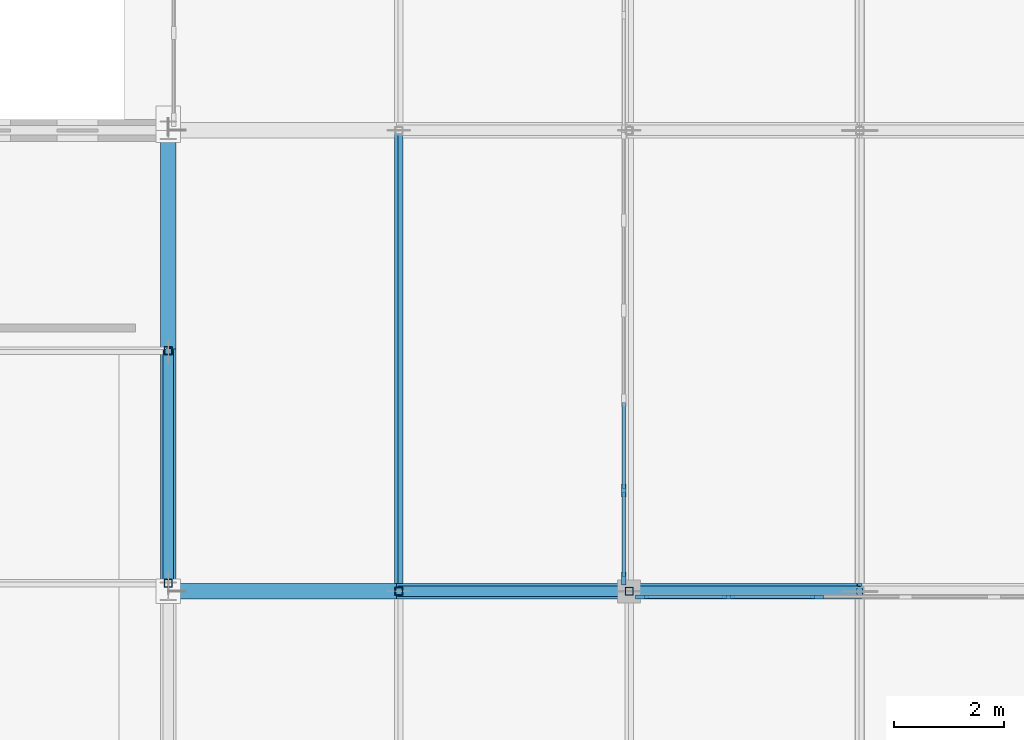
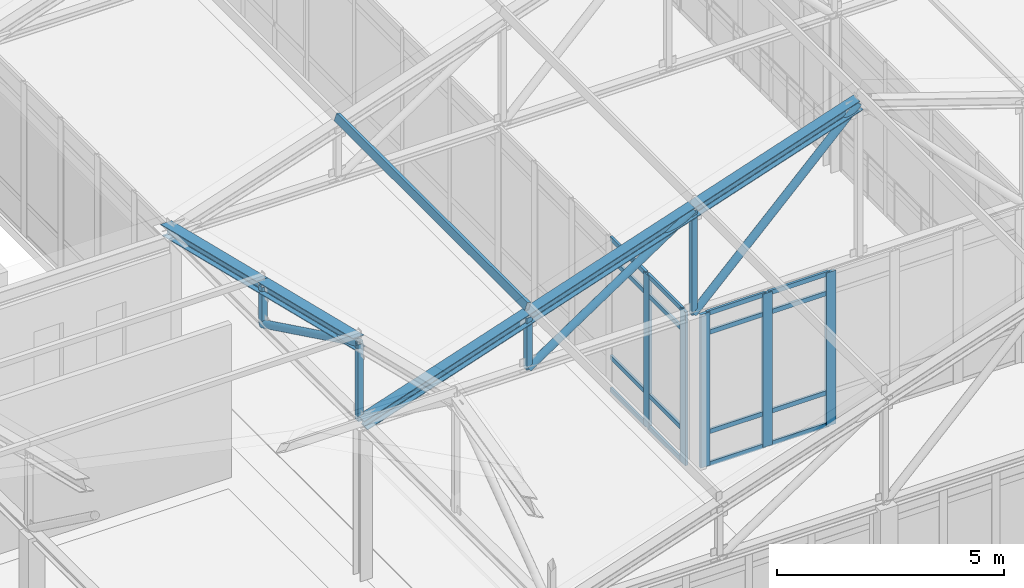
# One storey, part 38 of 192: 34 members, 2 elements without a shape of their own.
"""IFC4 building model written with IfcOpenShell, lengths in metres."""

from ifc_helpers import new_model, si_unit, direction, frame, origin, origin_2d, place, context, subcontext, project, spatial, rectangle, hollow_rectangle, hollow_circle, i_section, extrude, material, layer, layer_set, material_profile, profile_set, type_object, element, aggregate, save


model = new_model("IFC4")

# Units and contexts
model_context = context("Model", 3, precision=1e-05, world=origin(), true_north=direction((0.0, 1.0)))
body_context = subcontext(model_context, "Body", "Model", "MODEL_VIEW")
ifc_project = project(units=[si_unit("LENGTHUNIT", "METRE"), si_unit("AREAUNIT", "SQUARE_METRE"), si_unit("VOLUMEUNIT", "CUBIC_METRE"), si_unit("PLANEANGLEUNIT", "RADIAN"), si_unit("MASSUNIT", "GRAM", prefix="KILO")], contexts=[model_context])

# Site, building, storey
site_placement = place(None, origin())
site = spatial("IfcSite", under=ifc_project, at=site_placement, CompositionType="ELEMENT")
building_placement = place(site_placement, origin())
building = spatial("IfcBuilding", under=site, at=building_placement, Name="Kveldsbrygga Polytechnic", CompositionType="ELEMENT")
storey_placement = place(building_placement, frame((0.0, 0.0, 5.43994140625)))
storey = spatial("IfcBuildingStorey", under=building, at=storey_placement, Name="L01", CompositionType="ELEMENT", Elevation=5.43994140625)

# Curtain wall, members
ifc_material_1 = material(Name="Anodised aluminium AW-6060", Category="aluminium")
ifc_layer = layer(ifc_material_1, 0.179931640625)
ifc_layer_set = layer_set([ifc_layer], Name="Anodised aluminium AW-6060")
curtain_wall_type = type_object("IfcCurtainWallType", Name="CW-LANC-D", PredefinedType="USERDEFINED", material=ifc_layer_set)
curtain_wall_1_placement = place(storey_placement, origin())
curtain_wall_1 = element("IfcCurtainWall", 1, at=curtain_wall_1_placement, inside=storey, type_object=curtain_wall_type, Name="Curtain Wall CW-L01-Y-07-02", ObjectType="UNITISED CURTAIN WALL", PredefinedType="USERDEFINED")
ifc_material_profile_1 = material_profile(ifc_material_1, rectangle(XDim=0.074951171875, YDim=0.239990234375, at=origin_2d()), Name="ALU 75x240")
ifc_profile_set_1 = profile_set([ifc_material_profile_1], Name="Anodised aluminium AW-6060")
member_type_1 = type_object("IfcMemberType", Name="CW-MUL-240", PredefinedType="MULLION", material=ifc_profile_set_1)
member_1_placement = place(storey_placement, frame((58.699951171875, 17.032470703125, 0.0), z_axis=(0.0, 0.0, 1.0), x_axis=(-1.0, 0.0, 0.0)))
member_1 = element("IfcMember", 2, at=member_1_placement, type_object=member_type_1, Name="CW-04 mullion 1", PredefinedType="MULLION", context=body_context, shape_type="SweptSolid", body=[
    extrude(rectangle(XDim=0.074951171875, YDim=0.239990234375, at=origin_2d()), origin(), (0.0, 0.0, 1.0), 4.1201171875),
])
member_2_placement = place(storey_placement, frame((58.699951171875, 18.635986328125, 0.0), z_axis=(0.0, 0.0, 1.0), x_axis=(-1.0, 0.0, 0.0)))
member_2 = element("IfcMember", 3, at=member_2_placement, type_object=member_type_1, Name="CW-04 mullion 2", PredefinedType="MULLION", context=body_context, shape_type="SweptSolid", body=[
    extrude(rectangle(XDim=0.074951171875, YDim=0.239990234375, at=origin_2d()), origin(), (0.0, 0.0, 1.0), 4.1201171875),
])

curtain_wall_2_placement = place(storey_placement, origin())
curtain_wall_2 = element("IfcCurtainWall", 4, at=curtain_wall_2_placement, inside=storey, type_object=curtain_wall_type, Name="Curtain Wall CW-L01-X-07-02", ObjectType="UNITISED CURTAIN WALL", PredefinedType="USERDEFINED")
member_3_placement = place(storey_placement, frame((59.032470703125, 16.699951171875, 0.0), z_axis=(0.0, 0.0, 1.0), x_axis=(0.0, 1.0, 0.0)))
member_3 = element("IfcMember", 5, at=member_3_placement, type_object=member_type_1, Name="CW-04 mullion 1", PredefinedType="MULLION", context=body_context, shape_type="SweptSolid", body=[
    extrude(rectangle(XDim=0.074951171875, YDim=0.239990234375, at=origin_2d()), origin(), (0.0, 0.0, 1.0), 4.1201171875),
])
member_4_placement = place(storey_placement, frame((60.60888671875, 16.699951171875, 0.0), z_axis=(0.0, 0.0, 1.0), x_axis=(0.0, 1.0, 0.0)))
member_4 = element("IfcMember", 6, at=member_4_placement, type_object=member_type_1, Name="CW-04 mullion 2", PredefinedType="MULLION", context=body_context, shape_type="SweptSolid", body=[
    extrude(rectangle(XDim=0.074951171875, YDim=0.239990234375, at=origin_2d()), origin(), (0.0, 0.0, 1.0), 4.1201171875),
])
member_5_placement = place(storey_placement, frame((62.222900390625, 16.699951171875, 0.0), z_axis=(0.0, 0.0, 1.0), x_axis=(0.0, 1.0, 0.0)))
member_5 = element("IfcMember", 7, at=member_5_placement, type_object=member_type_1, Name="CW-04 mullion 3", PredefinedType="MULLION", context=body_context, shape_type="SweptSolid", body=[
    extrude(rectangle(XDim=0.074951171875, YDim=0.239990234375, at=origin_2d()), origin(), (0.0, 0.0, 1.0), 4.1201171875),
])

# Member
ifc_material_profile_2 = material_profile(ifc_material_1, rectangle(XDim=0.06005859375, YDim=0.1201171875, at=origin_2d()), Name="ALU 60x120")
ifc_profile_set_2 = profile_set([ifc_material_profile_2], Name="Anodised aluminium AW-6060")
member_type_2 = type_object("IfcMemberType", Name="CW-TRN-120", PredefinedType="USERDEFINED", material=ifc_profile_set_2)
member_6_placement = place(storey_placement, frame((58.699951171875, 17.070068359375, 0.030029296875), z_axis=(0.0, 1.0, 0.0), x_axis=(-1.0, 0.0, 0.0)))
member_6 = element("IfcMember", 8, at=member_6_placement, type_object=member_type_2, Name="CW-04 transom 1.1", ObjectType="TRANSOM", PredefinedType="USERDEFINED", context=body_context, shape_type="SweptSolid", body=[
    extrude(rectangle(XDim=0.06005859375, YDim=0.1201171875, at=origin_2d()), origin(), (0.0, 0.0, 1.0), 1.5283203125),
])

member_7_placement = place(storey_placement, frame((58.699951171875, 17.070068359375, 0.900146484375), z_axis=(0.0, 1.0, 0.0), x_axis=(-1.0, 0.0, 0.0)))
member_7 = element("IfcMember", 9, at=member_7_placement, type_object=member_type_2, Name="CW-04 transom 1.2", ObjectType="TRANSOM", PredefinedType="USERDEFINED", context=body_context, shape_type="SweptSolid", body=[
    extrude(rectangle(XDim=0.06005859375, YDim=0.1201171875, at=origin_2d()), origin(), (0.0, 0.0, 1.0), 1.5283203125),
])

member_8_placement = place(storey_placement, frame((58.699951171875, 17.070068359375, 3.570068359375), z_axis=(0.0, 1.0, 0.0), x_axis=(-1.0, 0.0, 0.0)))
member_8 = element("IfcMember", 10, at=member_8_placement, type_object=member_type_2, Name="CW-04 transom 1.3", ObjectType="TRANSOM", PredefinedType="USERDEFINED", context=body_context, shape_type="SweptSolid", body=[
    extrude(rectangle(XDim=0.06005859375, YDim=0.1201171875, at=origin_2d()), origin(), (0.0, 0.0, 1.0), 1.5283203125),
])

member_9_placement = place(storey_placement, frame((58.699951171875, 17.070068359375, 4.090087890625), z_axis=(0.0, 1.0, 0.0), x_axis=(-1.0, 0.0, 0.0)))
member_9 = element("IfcMember", 11, at=member_9_placement, type_object=member_type_2, Name="CW-04 transom 1.4", ObjectType="TRANSOM", PredefinedType="USERDEFINED", context=body_context, shape_type="SweptSolid", body=[
    extrude(rectangle(XDim=0.06005859375, YDim=0.1201171875, at=origin_2d()), origin(), (0.0, 0.0, 1.0), 1.5283203125),
])

member_10_placement = place(storey_placement, frame((58.699951171875, 18.673583984375, 0.030029296875), z_axis=(0.0, 1.0, 0.0), x_axis=(-1.0, 0.0, 0.0)))
member_10 = element("IfcMember", 12, at=member_10_placement, type_object=member_type_2, Name="CW-04 transom 2.1", ObjectType="TRANSOM", PredefinedType="USERDEFINED", context=body_context, shape_type="SweptSolid", body=[
    extrude(rectangle(XDim=0.06005859375, YDim=0.1201171875, at=origin_2d()), origin(), (0.0, 0.0, 1.0), 1.56591796875),
])

member_11_placement = place(storey_placement, frame((58.699951171875, 18.673583984375, 0.900146484375), z_axis=(0.0, 1.0, 0.0), x_axis=(-1.0, 0.0, 0.0)))
member_11 = element("IfcMember", 13, at=member_11_placement, type_object=member_type_2, Name="CW-04 transom 2.2", ObjectType="TRANSOM", PredefinedType="USERDEFINED", context=body_context, shape_type="SweptSolid", body=[
    extrude(rectangle(XDim=0.06005859375, YDim=0.1201171875, at=origin_2d()), origin(), (0.0, 0.0, 1.0), 1.56591796875),
])

member_12_placement = place(storey_placement, frame((58.699951171875, 18.673583984375, 3.570068359375), z_axis=(0.0, 1.0, 0.0), x_axis=(-1.0, 0.0, 0.0)))
member_12 = element("IfcMember", 14, at=member_12_placement, type_object=member_type_2, Name="CW-04 transom 2.3", ObjectType="TRANSOM", PredefinedType="USERDEFINED", context=body_context, shape_type="SweptSolid", body=[
    extrude(rectangle(XDim=0.06005859375, YDim=0.1201171875, at=origin_2d()), origin(), (0.0, 0.0, 1.0), 1.56591796875),
])

member_13_placement = place(storey_placement, frame((58.699951171875, 18.673583984375, 4.090087890625), z_axis=(0.0, 1.0, 0.0), x_axis=(-1.0, 0.0, 0.0)))
member_13 = element("IfcMember", 15, at=member_13_placement, type_object=member_type_2, Name="CW-04 transom 2.4", ObjectType="TRANSOM", PredefinedType="USERDEFINED", context=body_context, shape_type="SweptSolid", body=[
    extrude(rectangle(XDim=0.06005859375, YDim=0.1201171875, at=origin_2d()), origin(), (0.0, 0.0, 1.0), 1.56591796875),
])

aggregate(curtain_wall_1, [member_1, member_2, member_6, member_7, member_8, member_9, member_10, member_11, member_12, member_13])

member_14_placement = place(storey_placement, frame((59.070068359375, 16.699951171875, 0.030029296875), z_axis=(1.0, 0.0, 0.0), x_axis=(0.0, 1.0, 0.0)))
member_14 = element("IfcMember", 16, at=member_14_placement, type_object=member_type_2, Name="CW-04 transom 1.1", ObjectType="TRANSOM", PredefinedType="USERDEFINED", context=body_context, shape_type="SweptSolid", body=[
    extrude(rectangle(XDim=0.06005859375, YDim=0.1201171875, at=origin_2d()), origin(), (0.0, 0.0, 1.0), 1.50146484375),
])

member_15_placement = place(storey_placement, frame((59.070068359375, 16.699951171875, 0.900146484375), z_axis=(1.0, 0.0, 0.0), x_axis=(0.0, 1.0, 0.0)))
member_15 = element("IfcMember", 17, at=member_15_placement, type_object=member_type_2, Name="CW-04 transom 1.2", ObjectType="TRANSOM", PredefinedType="USERDEFINED", context=body_context, shape_type="SweptSolid", body=[
    extrude(rectangle(XDim=0.06005859375, YDim=0.1201171875, at=origin_2d()), origin(), (0.0, 0.0, 1.0), 1.50146484375),
])

member_16_placement = place(storey_placement, frame((59.070068359375, 16.699951171875, 3.570068359375), z_axis=(1.0, 0.0, 0.0), x_axis=(0.0, 1.0, 0.0)))
member_16 = element("IfcMember", 18, at=member_16_placement, type_object=member_type_2, Name="CW-04 transom 1.3", ObjectType="TRANSOM", PredefinedType="USERDEFINED", context=body_context, shape_type="SweptSolid", body=[
    extrude(rectangle(XDim=0.06005859375, YDim=0.1201171875, at=origin_2d()), origin(), (0.0, 0.0, 1.0), 1.50146484375),
])

member_17_placement = place(storey_placement, frame((59.070068359375, 16.699951171875, 4.090087890625), z_axis=(1.0, 0.0, 0.0), x_axis=(0.0, 1.0, 0.0)))
member_17 = element("IfcMember", 19, at=member_17_placement, type_object=member_type_2, Name="CW-04 transom 1.4", ObjectType="TRANSOM", PredefinedType="USERDEFINED", context=body_context, shape_type="SweptSolid", body=[
    extrude(rectangle(XDim=0.06005859375, YDim=0.1201171875, at=origin_2d()), origin(), (0.0, 0.0, 1.0), 1.50146484375),
])

member_18_placement = place(storey_placement, frame((60.646484375, 16.699951171875, 0.030029296875), z_axis=(1.0, 0.0, 0.0), x_axis=(0.0, 1.0, 0.0)))
member_18 = element("IfcMember", 20, at=member_18_placement, type_object=member_type_2, Name="CW-04 transom 2.1", ObjectType="TRANSOM", PredefinedType="USERDEFINED", context=body_context, shape_type="SweptSolid", body=[
    extrude(rectangle(XDim=0.06005859375, YDim=0.1201171875, at=origin_2d()), origin(), (0.0, 0.0, 1.0), 1.5390625),
])

member_19_placement = place(storey_placement, frame((60.646484375, 16.699951171875, 0.900146484375), z_axis=(1.0, 0.0, 0.0), x_axis=(0.0, 1.0, 0.0)))
member_19 = element("IfcMember", 21, at=member_19_placement, type_object=member_type_2, Name="CW-04 transom 2.2", ObjectType="TRANSOM", PredefinedType="USERDEFINED", context=body_context, shape_type="SweptSolid", body=[
    extrude(rectangle(XDim=0.06005859375, YDim=0.1201171875, at=origin_2d()), origin(), (0.0, 0.0, 1.0), 1.5390625),
])

member_20_placement = place(storey_placement, frame((60.646484375, 16.699951171875, 3.570068359375), z_axis=(1.0, 0.0, 0.0), x_axis=(0.0, 1.0, 0.0)))
member_20 = element("IfcMember", 22, at=member_20_placement, type_object=member_type_2, Name="CW-04 transom 2.3", ObjectType="TRANSOM", PredefinedType="USERDEFINED", context=body_context, shape_type="SweptSolid", body=[
    extrude(rectangle(XDim=0.06005859375, YDim=0.1201171875, at=origin_2d()), origin(), (0.0, 0.0, 1.0), 1.5390625),
])

member_21_placement = place(storey_placement, frame((60.646484375, 16.699951171875, 4.090087890625), z_axis=(1.0, 0.0, 0.0), x_axis=(0.0, 1.0, 0.0)))
member_21 = element("IfcMember", 23, at=member_21_placement, type_object=member_type_2, Name="CW-04 transom 2.4", ObjectType="TRANSOM", PredefinedType="USERDEFINED", context=body_context, shape_type="SweptSolid", body=[
    extrude(rectangle(XDim=0.06005859375, YDim=0.1201171875, at=origin_2d()), origin(), (0.0, 0.0, 1.0), 1.5390625),
])

aggregate(curtain_wall_2, [member_3, member_4, member_5, member_14, member_15, member_16, member_17, member_18, member_19, member_20, member_21])

# Members
ifc_material_2 = material(Name="Steel S355", Category="steel")
ifc_material_profile_3 = material_profile(ifc_material_2, hollow_rectangle(XDim=0.10009765625, YDim=0.199951171875, WallThickness=0.010009765625, at=origin_2d()), Name="RHS 200x100x10.0")
ifc_profile_set_3 = profile_set([ifc_material_profile_3], Name="Steel S355")
member_type_3 = type_object("IfcMemberType", Name="PRL-RHS200", PredefinedType="PURLIN", material=ifc_profile_set_3)
member_22_placement = place(storey_placement, frame((54.60009765625, 16.800048828125, 5.77294921875), z_axis=(0.0, 1.0, 0.0), x_axis=(-0.948683567514, 0.0, 0.316226957624)))
element("IfcMember", 24, at=member_22_placement, inside=storey, type_object=member_type_3, Name="Roof Purlin V5C-PRL-2-1", PredefinedType="PURLIN", context=body_context, shape_type="SweptSolid", body=[
    extrude(hollow_rectangle(XDim=0.10009765625, YDim=0.199951171875, WallThickness=0.010009765625, at=origin_2d()), origin(), (0.0, 0.0, 1.0), 8.39990234375),
])
ifc_material_profile_4 = material_profile(ifc_material_2, hollow_circle(Radius=0.096923828125, WallThickness=0.010009765625, at=origin_2d()), Name="CHS 193.7x10.0")
ifc_profile_set_4 = profile_set([ifc_material_profile_4], Name="Steel S355")
member_type_4 = type_object("IfcMemberType", Name="TR-DIAG-CHS194", PredefinedType="BRACE", material=ifc_profile_set_4)
member_23_placement = place(storey_placement, frame((50.39990234375, 16.94677734375, 6.186767578125), z_axis=(0.0, 0.898765956772, -0.438428734171), x_axis=(-1.0, 0.0, 0.0)))
element("IfcMember", 25, at=member_23_placement, inside=storey, type_object=member_type_4, Name="Truss Diagonal V5S-T07-DG-5", PredefinedType="BRACE", context=body_context, shape_type="SweptSolid", body=[
    extrude(hollow_circle(Radius=0.096923828125, WallThickness=0.010009765625, at=origin_2d()), origin(), (0.0, 0.0, 1.0), 4.7138671875),
])
member_24_placement = place(storey_placement, frame((54.60009765625, 16.800048828125, 4.1201171875), z_axis=(0.832042853317, 0.0, 0.554711357594), x_axis=(0.0, 1.0, 0.0)))
element("IfcMember", 26, at=member_24_placement, inside=storey, type_object=member_type_4, Name="Truss Diagonal V5C-T02-DG-2", PredefinedType="BRACE", context=body_context, shape_type="SweptSolid", body=[
    extrude(hollow_circle(Radius=0.096923828125, WallThickness=0.010009765625, at=origin_2d()), origin(), (0.0, 0.0, 1.0), 5.0478515625),
])
member_25_placement = place(storey_placement, frame((58.800048828125, 16.800048828125, 4.1201171875), z_axis=(0.707106781187, 0.0, 0.707106781187), x_axis=(0.0, 1.0, 0.0)))
element("IfcMember", 27, at=member_25_placement, inside=storey, type_object=member_type_4, Name="Truss Diagonal V5C-T02-DG-3", PredefinedType="BRACE", context=body_context, shape_type="SweptSolid", body=[
    extrude(hollow_circle(Radius=0.096923828125, WallThickness=0.010009765625, at=origin_2d()), origin(), (0.0, 0.0, 1.0), 5.939697265625),
])
ifc_material_profile_5 = material_profile(ifc_material_2, hollow_rectangle(XDim=0.139892578125, YDim=0.139892578125, WallThickness=0.008056640625, at=origin_2d()), Name="SHS 140x140x8.0")
ifc_profile_set_5 = profile_set([ifc_material_profile_5], Name="Steel S355")
member_type_5 = type_object("IfcMemberType", Name="TR-POST-SHS140", PredefinedType="STRUT", material=ifc_profile_set_5)
member_26_placement = place(storey_placement, frame((50.39990234375, 16.94677734375, 4.1201171875), z_axis=(0.0, 0.0, 1.0), x_axis=(1.0, 0.0, 0.0)))
element("IfcMember", 28, at=member_26_placement, inside=storey, type_object=member_type_5, Name="Truss Vertical V5S-T07-VT-4", PredefinedType="STRUT", context=body_context, shape_type="SweptSolid", body=[
    extrude(hollow_rectangle(XDim=0.139892578125, YDim=0.139892578125, WallThickness=0.008056640625, at=origin_2d()), origin(), (0.0, 0.0, 1.0), 2.066650390625),
])
member_27_placement = place(storey_placement, frame((50.39990234375, 21.183349609375, 4.1201171875), z_axis=(0.0, 0.0, 1.0), x_axis=(1.0, 0.0, 0.0)))
element("IfcMember", 29, at=member_27_placement, inside=storey, type_object=member_type_5, Name="Truss Vertical V5S-T07-VT-5", PredefinedType="STRUT", context=body_context, shape_type="SweptSolid", body=[
    extrude(hollow_rectangle(XDim=0.139892578125, YDim=0.139892578125, WallThickness=0.008056640625, at=origin_2d()), origin(), (0.0, 0.0, 1.0), 1.033203125),
])
member_28_placement = place(storey_placement, frame((54.60009765625, 16.800048828125, 4.1201171875), z_axis=(0.0, 0.0, 1.0), x_axis=(1.0, 0.0, 0.0)))
element("IfcMember", 30, at=member_28_placement, inside=storey, type_object=member_type_5, Name="Truss Vertical V5C-T02-VT-1", PredefinedType="STRUT", context=body_context, shape_type="SweptSolid", body=[
    extrude(hollow_rectangle(XDim=0.139892578125, YDim=0.139892578125, WallThickness=0.008056640625, at=origin_2d()), origin(), (0.0, 0.0, 1.0), 1.39990234375),
])
member_29_placement = place(storey_placement, frame((58.800048828125, 16.800048828125, 4.1201171875), z_axis=(0.0, 0.0, 1.0), x_axis=(1.0, 0.0, 0.0)))
element("IfcMember", 31, at=member_29_placement, inside=storey, type_object=member_type_5, Name="Truss Vertical V5C-T02-VT-2", PredefinedType="STRUT", context=body_context, shape_type="SweptSolid", body=[
    extrude(hollow_rectangle(XDim=0.139892578125, YDim=0.139892578125, WallThickness=0.008056640625, at=origin_2d()), origin(), (0.0, 0.0, 1.0), 2.800048828125),
])
ifc_material_profile_6 = material_profile(ifc_material_2, i_section(OverallWidth=0.280029296875, OverallDepth=0.280029296875, WebThickness=0.010498046875, FlangeThickness=0.01806640625, FilletRadius=0.02392578125, at=origin_2d()), Name="HEB 280")
ifc_profile_set_6 = profile_set([ifc_material_profile_6], Name="Steel S355")
member_type_6 = type_object("IfcMemberType", Name="TR-TOP-HEB280", PredefinedType="CHORD", material=ifc_profile_set_6)
for number, where, z_axis, x_axis, name in (
    (32, (50.39990234375, 16.94677734375, 6.186767578125), (0.0, 0.971513108336, -0.236985823061), (-1.0, 0.0, 0.0), "Truss Top Chord V5S-T07-TC-5"),
    (33, (50.39990234375, 21.183349609375, 5.1533203125), (0.0, 0.971525996838, -0.236932980961), (-1.0, 0.0, 0.0), "Truss Top Chord V5S-T07-TC-6"),
):
    element("IfcMember", number, at=place(storey_placement, frame(where, z_axis=z_axis, x_axis=x_axis)), inside=storey, type_object=member_type_6, Name=name, PredefinedType="CHORD", context=body_context, shape_type="SweptSolid", body=[
        extrude(i_section(OverallWidth=0.280029296875, OverallDepth=0.280029296875, WebThickness=0.010498046875, FlangeThickness=0.01806640625, FilletRadius=0.02392578125, at=origin_2d()), origin(), (0.0, 0.0, 1.0), 4.36083984375),
    ])
for number, where, z_axis, x_axis, name in (
    (34, (50.39990234375, 16.800048828125, 4.1201171875), (0.948694326238, 0.0, 0.316194679531), (0.0, 1.0, 0.0), "Truss Top Chord V5C-T02-TC-1"),
    (35, (54.60009765625, 16.800048828125, 5.52001953125), (0.948672268324, 0.0, 0.316260853272), (0.0, 1.0, 0.0), "Truss Top Chord V5C-T02-TC-2"),
):
    element("IfcMember", number, at=place(storey_placement, frame(where, z_axis=z_axis, x_axis=x_axis)), inside=storey, type_object=member_type_6, Name=name, PredefinedType="CHORD", context=body_context, shape_type="SweptSolid", body=[
        extrude(i_section(OverallWidth=0.280029296875, OverallDepth=0.280029296875, WebThickness=0.010498046875, FlangeThickness=0.01806640625, FilletRadius=0.02392578125, at=origin_2d()), origin(), (0.0, 0.0, 1.0), 4.42724609375),
    ])
member_30_placement = place(storey_placement, frame((58.800048828125, 16.800048828125, 6.920166015625), z_axis=(0.948688812577, 0.0, 0.316211221956), x_axis=(0.0, 1.0, 0.0)))
element("IfcMember", 36, at=member_30_placement, inside=storey, type_object=member_type_6, Name="Truss Top Chord V5C-T02-TC-3", PredefinedType="CHORD", context=body_context, shape_type="SweptSolid", body=[
    extrude(i_section(OverallWidth=0.280029296875, OverallDepth=0.280029296875, WebThickness=0.010498046875, FlangeThickness=0.01806640625, FilletRadius=0.02392578125, at=origin_2d()), origin(), (0.0, 0.0, 1.0), 4.427001953125),
])

save(model, "model.ifc")
